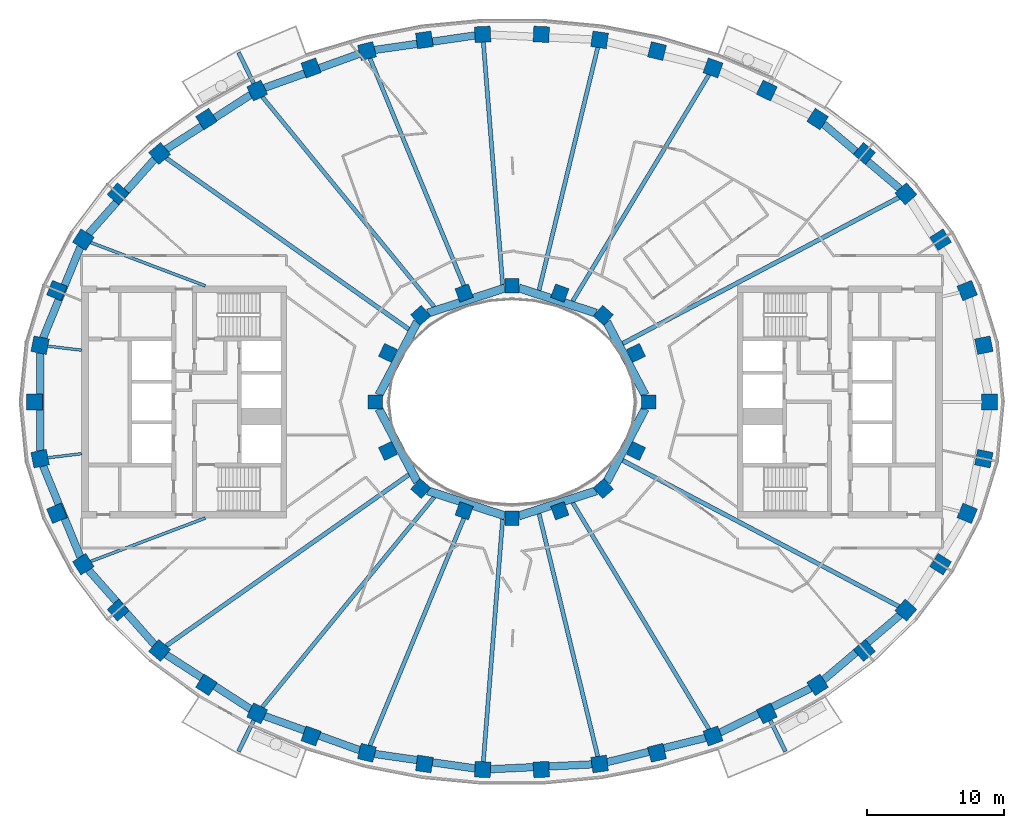
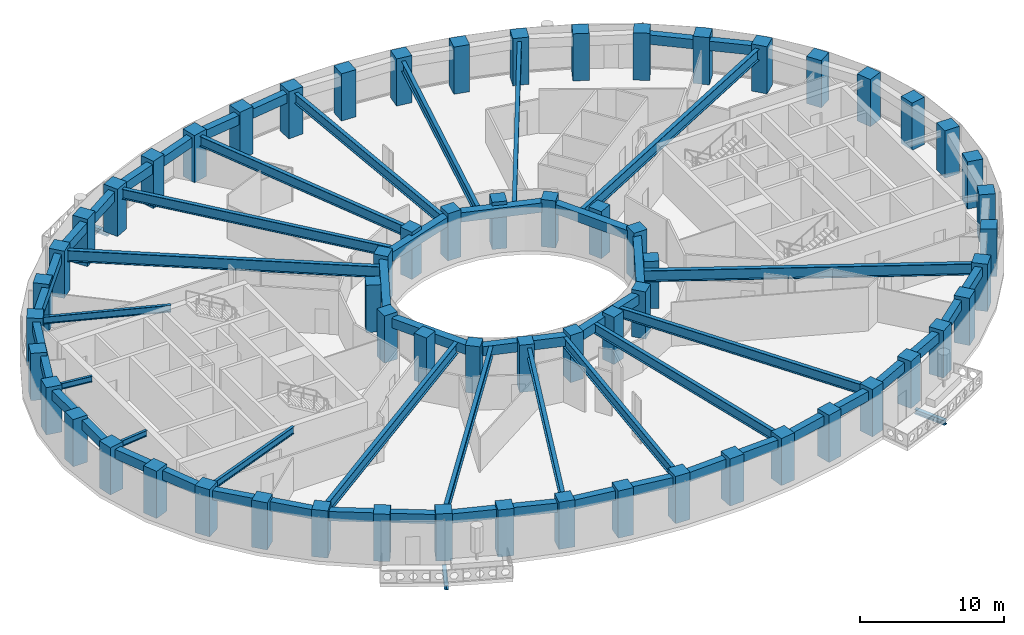
# One storey, part 1 of 15: 62 columns, 45 beams.
"""IFC4 building model written with IfcOpenShell, lengths in metres."""

from ifc_helpers import new_model, si_unit, direction, frame, origin, origin_2d, place, context, subcontext, project, spatial, rectangle, i_section, extrude, material, material_profile, profile_set, type_object, element, save


model = new_model("IFC4")

# Units and contexts
model_context = context("Model", 3, precision=1e-05, world=origin(), true_north=direction((0.0, 1.0)))
body_context = subcontext(model_context, "Body", "Model", "MODEL_VIEW")
ifc_project = project(units=[si_unit("LENGTHUNIT", "METRE"), si_unit("AREAUNIT", "SQUARE_METRE"), si_unit("VOLUMEUNIT", "CUBIC_METRE"), si_unit("PLANEANGLEUNIT", "RADIAN"), si_unit("MASSUNIT", "GRAM", prefix="KILO")], contexts=[model_context])

# Site, building, storey
site_placement = place(None, origin())
site = spatial("IfcSite", under=ifc_project, at=site_placement, CompositionType="ELEMENT")
building_placement = place(site_placement, origin())
building = spatial("IfcBuilding", under=site, at=building_placement, Name="Noorbagh Ring Tower", CompositionType="ELEMENT")
storey_placement = place(building_placement, frame((0.0, 0.0, 194.0)))
storey = spatial("IfcBuildingStorey", under=building, at=storey_placement, Name="L45", CompositionType="ELEMENT", Elevation=194.0)

# Columns
ifc_material_1 = material(Name="Concrete C60/75", Category="concrete")
ifc_material_profile_1 = material_profile(ifc_material_1, rectangle(XDim=1.14990234375, YDim=1.14990234375, at=origin_2d()), Name="RC1150x1150")
ifc_profile_set_1 = profile_set([ifc_material_profile_1], Name="Concrete C60/75")
column_type_1 = type_object("IfcColumnType", Name="STR-COL-RC1150x1150-C60-75", PredefinedType="COLUMN", material=ifc_profile_set_1)
for number, where, z_axis, x_axis, name in (
    (1, (34.944580078125, 0.0, 0.0), (0.0, 0.0, 1.0), (0.0, 1.0, 0.0), "L45/col/R1-01"),
    (2, (34.52685546875, 4.150634765625, 0.0), (0.0, 0.0, 1.0), (-0.19723040178, 0.9803571638, 0.0), "L45/col/R1-02"),
    (3, (33.30517578125, 8.1494140625, 0.0), (0.0, 0.0, 1.0), (-0.378989499959, 0.925400971969, 0.0), "L45/col/R1-03"),
    (4, (31.364990234375, 11.87109375, 0.0), (0.0, 0.0, 1.0), (-0.535190403059, 0.844731455833, 0.0), "L45/col/R1-04"),
    (5, (28.81884765625, 15.23046875, 0.0), (0.0, 0.0, 1.0), (-0.662635642662, 0.748941923699, 0.0), "L45/col/R1-05"),
    (6, (25.78271484375, 18.180419921875, 0.0), (0.0, 0.0, 1.0), (-0.763035199656, 0.646356932419, 0.0), "L45/col/R1-06"),
    (7, (22.362060546875, 20.699951171875, 0.0), (0.0, 0.0, 1.0), (-0.840247639643, 0.542202825586, 0.0), "L45/col/R1-07"),
    (8, (18.646240234375, 22.785400390625, 0.0), (0.0, 0.0, 1.0), (-0.898399080868, 0.439180021741, 0.0), "L45/col/R1-08"),
    (9, (14.70947265625, 24.44091796875, 0.0), (0.0, 0.0, 1.0), (-0.941024726094, 0.338337797003, 0.0), "L45/col/R1-09"),
    (10, (10.61328125, 25.673583984375, 0.0), (0.0, 0.0, 1.0), (-0.970829360981, 0.239771457553, 0.0), "L45/col/R1-10"),
    (11, (6.4091796875, 26.49072265625, 0.0), (0.0, 0.0, 1.0), (-0.989713114048, 0.143066249975, 0.0), "L45/col/R1-11"),
    (12, (2.14306640625, 26.89794921875, 0.0), (0.0, 0.0, 1.0), (-0.998868731212, 0.047552684538, 0.0), "L45/col/R1-12"),
    (13, (-2.14306640625, 26.89794921875, 0.0), (0.0, 0.0, 1.0), (-0.998868731212, -0.047552684538, 0.0), "L45/col/R1-13"),
    (14, (-6.4091796875, 26.49072265625, 0.0), (0.0, 0.0, 1.0), (-0.989713114048, -0.143066249975, 0.0), "L45/col/R1-14"),
    (15, (-10.61328125, 25.673583984375, 0.0), (0.0, 0.0, 1.0), (-0.970829360981, -0.239771457553, 0.0), "L45/col/R1-15"),
    (16, (-14.70947265625, 24.44091796875, 0.0), (0.0, 0.0, 1.0), (-0.941024726094, -0.338337797003, 0.0), "L45/col/R1-16"),
    (17, (-18.646240234375, 22.785400390625, 0.0), (0.0, 0.0, 1.0), (-0.898399080868, -0.439180021741, 0.0), "L45/col/R1-17"),
    (18, (-22.362060546875, 20.699951171875, 0.0), (0.0, 0.0, 1.0), (-0.840247639643, -0.542202825586, 0.0), "L45/col/R1-18"),
    (19, (-25.78271484375, 18.180419921875, 0.0), (0.0, 0.0, 1.0), (-0.763035199656, -0.646356932419, 0.0), "L45/col/R1-19"),
    (20, (-28.81884765625, 15.23046875, 0.0), (0.0, 0.0, 1.0), (-0.662635642662, -0.748941923699, 0.0), "L45/col/R1-20"),
    (21, (-31.364990234375, 11.87109375, 0.0), (0.0, 0.0, 1.0), (-0.535190403059, -0.844731455833, 0.0), "L45/col/R1-21"),
    (22, (-33.30517578125, 8.1494140625, 0.0), (0.0, 0.0, 1.0), (-0.378989499959, -0.925400971969, 0.0), "L45/col/R1-22"),
    (23, (-34.52685546875, 4.150634765625, 0.0), (0.0, 0.0, 1.0), (-0.19723040178, -0.9803571638, 0.0), "L45/col/R1-23"),
    (24, (-34.944580078125, 0.0, 0.0), (0.0, 0.0, 1.0), (0.0, -1.0, 0.0), "L45/col/R1-24"),
    (25, (-34.52685546875, -4.150634765625, 0.0), (0.0, 0.0, 1.0), (0.19723040178, -0.9803571638, 0.0), "L45/col/R1-25"),
    (26, (-33.30517578125, -8.1494140625, 0.0), (0.0, 0.0, 1.0), (0.378989499959, -0.925400971969, 0.0), "L45/col/R1-26"),
    (27, (-31.364990234375, -11.87109375, 0.0), (0.0, 0.0, 1.0), (0.535190403059, -0.844731455833, 0.0), "L45/col/R1-27"),
    (28, (-28.81884765625, -15.23046875, 0.0), (0.0, 0.0, 1.0), (0.662635642662, -0.748941923699, 0.0), "L45/col/R1-28"),
    (29, (-25.78271484375, -18.180419921875, 0.0), (0.0, 0.0, 1.0), (0.763035199656, -0.646356932419, 0.0), "L45/col/R1-29"),
    (30, (-22.362060546875, -20.699951171875, 0.0), (0.0, 0.0, 1.0), (0.840247639643, -0.542202825586, 0.0), "L45/col/R1-30"),
    (31, (-18.646240234375, -22.785400390625, 0.0), (0.0, 0.0, 1.0), (0.898399080868, -0.439180021741, 0.0), "L45/col/R1-31"),
    (32, (-14.70947265625, -24.44091796875, 0.0), (0.0, 0.0, 1.0), (0.941024726094, -0.338337797003, 0.0), "L45/col/R1-32"),
    (33, (-10.61328125, -25.673583984375, 0.0), (0.0, 0.0, 1.0), (0.970829360981, -0.239771457553, 0.0), "L45/col/R1-33"),
    (34, (-6.4091796875, -26.49072265625, 0.0), (0.0, 0.0, 1.0), (0.989713114048, -0.143066249975, 0.0), "L45/col/R1-34"),
    (35, (-2.14306640625, -26.89794921875, 0.0), (0.0, 0.0, 1.0), (0.998868731212, -0.047552684538, 0.0), "L45/col/R1-35"),
    (36, (2.14306640625, -26.89794921875, 0.0), (0.0, 0.0, 1.0), (0.998868731212, 0.047552684538, 0.0), "L45/col/R1-36"),
    (37, (6.4091796875, -26.49072265625, 0.0), (0.0, 0.0, 1.0), (0.989713114048, 0.143066249975, 0.0), "L45/col/R1-37"),
    (38, (10.61328125, -25.673583984375, 0.0), (0.0, 0.0, 1.0), (0.970829360981, 0.239771457553, 0.0), "L45/col/R1-38"),
    (39, (14.70947265625, -24.44091796875, 0.0), (0.0, 0.0, 1.0), (0.941024726094, 0.338337797003, 0.0), "L45/col/R1-39"),
    (40, (18.646240234375, -22.785400390625, 0.0), (0.0, 0.0, 1.0), (0.898399080868, 0.439180021741, 0.0), "L45/col/R1-40"),
    (41, (22.362060546875, -20.699951171875, 0.0), (0.0, 0.0, 1.0), (0.840247639643, 0.542202825586, 0.0), "L45/col/R1-41"),
    (42, (25.78271484375, -18.180419921875, 0.0), (0.0, 0.0, 1.0), (0.763035199656, 0.646356932419, 0.0), "L45/col/R1-42"),
    (43, (28.81884765625, -15.23046875, 0.0), (0.0, 0.0, 1.0), (0.662635642662, 0.748941923699, 0.0), "L45/col/R1-43"),
    (44, (31.364990234375, -11.87109375, 0.0), (0.0, 0.0, 1.0), (0.535190403059, 0.844731455833, 0.0), "L45/col/R1-44"),
    (45, (33.30517578125, -8.1494140625, 0.0), (0.0, 0.0, 1.0), (0.378989499959, 0.925400971969, 0.0), "L45/col/R1-45"),
    (46, (34.52685546875, -4.150634765625, 0.0), (0.0, 0.0, 1.0), (0.19723040178, 0.9803571638, 0.0), "L45/col/R1-46"),
):
    element("IfcColumn", number, at=place(storey_placement, frame(where, z_axis=z_axis, x_axis=x_axis)), inside=storey, type_object=column_type_1, Name=name, PredefinedType="COLUMN", context=body_context, shape_type="SweptSolid", body=[
        extrude(rectangle(XDim=1.14990234375, YDim=1.14990234375, at=origin_2d()), origin(), (0.0, 0.0, 1.0), 4.0),
    ])
ifc_material_2 = material(Name="Concrete C60/75", Category="concrete")
ifc_material_profile_2 = material_profile(ifc_material_2, rectangle(XDim=1.050048828125, YDim=1.050048828125, at=origin_2d()), Name="RC1050x1050")
ifc_profile_set_2 = profile_set([ifc_material_profile_2], Name="Concrete C60/75")
column_type_2 = type_object("IfcColumnType", Name="STR-ICOL-RC1050x1050-C60-75", PredefinedType="COLUMN", material=ifc_profile_set_2)
for number, where, z_axis, x_axis, name in (
    (47, (10.00830078125, 0.0, 0.0), (0.0, 0.0, 1.0), (0.0, 1.0, 0.0), "L45/col/IR2-W01"),
    (48, (9.07568359375, 3.58837890625, 0.0), (0.0, 0.0, 1.0), (-0.428666979171, 0.903462573087, 0.0), "L45/col/IR2-W03"),
    (49, (6.68212890625, 6.333740234375, 0.0), (0.0, 0.0, 1.0), (-0.75102249095, 0.660276622399, 0.0), "L45/col/IR2-W05"),
    (50, (3.5009765625, 7.967041015625, 0.0), (0.0, 0.0, 1.0), (-0.939019578916, 0.343863679984, 0.0), "L45/col/IR2-W07"),
    (51, (0.0, 8.5029296875, 0.0), (0.0, 0.0, 1.0), (-1.0, 0.0, 0.0), "L45/col/IR2-W09"),
    (52, (-3.5009765625, 7.967041015625, 0.0), (0.0, 0.0, 1.0), (-0.939019578916, -0.343863679984, 0.0), "L45/col/IR2-W11"),
    (53, (-6.68212890625, 6.333740234375, 0.0), (0.0, 0.0, 1.0), (-0.75102249095, -0.660276622399, 0.0), "L45/col/IR2-W13"),
    (54, (-9.07568359375, 3.58837890625, 0.0), (0.0, 0.0, 1.0), (-0.428666979171, -0.903462573087, 0.0), "L45/col/IR2-W15"),
    (55, (-10.00830078125, 0.0, 0.0), (0.0, 0.0, 1.0), (0.0, -1.0, 0.0), "L45/col/IR2-W17"),
    (56, (-9.07568359375, -3.58837890625, 0.0), (0.0, 0.0, 1.0), (0.428666979171, -0.903462573087, 0.0), "L45/col/IR2-W19"),
    (57, (-6.68212890625, -6.333740234375, 0.0), (0.0, 0.0, 1.0), (0.75102249095, -0.660276622399, 0.0), "L45/col/IR2-W21"),
    (58, (-3.5009765625, -7.967041015625, 0.0), (0.0, 0.0, 1.0), (0.939019578916, -0.343863679984, 0.0), "L45/col/IR2-W23"),
    (59, (0.0, -8.5029296875, 0.0), (0.0, 0.0, 1.0), (1.0, 0.0, 0.0), "L45/col/IR2-W25"),
    (60, (3.5009765625, -7.967041015625, 0.0), (0.0, 0.0, 1.0), (0.939019578916, 0.343863679984, 0.0), "L45/col/IR2-W27"),
    (61, (6.68212890625, -6.333740234375, 0.0), (0.0, 0.0, 1.0), (0.75102249095, 0.660276622399, 0.0), "L45/col/IR2-W29"),
    (62, (9.07568359375, -3.58837890625, 0.0), (0.0, 0.0, 1.0), (0.428666979171, 0.903462573087, 0.0), "L45/col/IR2-W31"),
):
    element("IfcColumn", number, at=place(storey_placement, frame(where, z_axis=z_axis, x_axis=x_axis)), inside=storey, type_object=column_type_2, Name=name, PredefinedType="COLUMN", context=body_context, shape_type="SweptSolid", body=[
        extrude(rectangle(XDim=1.050048828125, YDim=1.050048828125, at=origin_2d()), origin(), (0.0, 0.0, 1.0), 4.0),
    ])

# Beams
ifc_material_3 = material(Name="Steel S355", Category="steel")
ifc_material_profile_3 = material_profile(ifc_material_3, i_section(OverallWidth=0.300048828125, OverallDepth=0.39990234375, WebThickness=0.013427734375, FlangeThickness=0.02392578125, FilletRadius=0.027099609375, at=origin_2d()), Name="HEB400")
ifc_profile_set_3 = profile_set([ifc_material_profile_3], Name="Steel S355")
beam_type_1 = type_object("IfcBeamType", Name="STR-BALCONY-BRACKET-HEB400", PredefinedType="BEAM", material=ifc_profile_set_3)
for number, where, z_axis, x_axis, name in (
    (63, (-18.89013671875, 23.283935546875, -0.5), (-0.439230736405, 0.898374287364, 0.0), (-0.898374287364, -0.439230736405, 0.0), "Balcony bracket beam BN05"),
    (64, (-18.89013671875, -23.283935546875, -0.5), (-0.439230736405, -0.898374287364, 0.0), (0.898374287364, -0.439230736405, 0.0), "Balcony bracket beam BS02"),
    (65, (18.89013671875, -23.283935546875, -0.5), (0.439230736405, -0.898374287364, 0.0), (0.898374287364, 0.439230736405, 0.0), "Balcony bracket beam BS05"),
):
    element("IfcBeam", number, at=place(storey_placement, frame(where, z_axis=z_axis, x_axis=x_axis)), inside=storey, type_object=beam_type_1, Name=name, PredefinedType="BEAM", context=body_context, shape_type="SweptSolid", body=[
        extrude(i_section(OverallWidth=0.300048828125, OverallDepth=0.39990234375, WebThickness=0.013427734375, FlangeThickness=0.02392578125, FilletRadius=0.027099609375, at=origin_2d()), origin(), (0.0, 0.0, 1.0), 2.55029296875),
    ])
ifc_material_4 = material(Name="Steel S355", Category="steel")
ifc_material_profile_4 = material_profile(ifc_material_4, i_section(OverallWidth=0.199951171875, OverallDepth=0.5, WebThickness=0.01025390625, FlangeThickness=0.01611328125, FilletRadius=0.02099609375, at=origin_2d()), Name="IPE500")
ifc_profile_set_4 = profile_set([ifc_material_profile_4], Name="Steel S355")
beam_type_2 = type_object("IfcBeamType", Name="STR-RAD-IPE500", PredefinedType="BEAM", material=ifc_profile_set_4)
for number, where, z_axis, x_axis, name in (
    (66, (-33.973876953125, 4.084228515625, 3.449951171875), (0.992850135932, -0.119367531518, 0.0), (0.119367531518, 0.992850135932, 0.0), "L45/bm/RD23"),
    (67, (-33.973876953125, -4.084228515625, 3.449951171875), (0.992850135932, 0.119367531518, 0.0), (-0.119367531518, 0.992850135932, 0.0), "L45/bm/RD25"),
):
    element("IfcBeam", number, at=place(storey_placement, frame(where, z_axis=z_axis, x_axis=x_axis)), inside=storey, type_object=beam_type_2, Name=name, PredefinedType="BEAM", context=body_context, shape_type="SweptSolid", body=[
        extrude(i_section(OverallWidth=0.199951171875, OverallDepth=0.5, WebThickness=0.01025390625, FlangeThickness=0.01611328125, FilletRadius=0.02099609375, at=origin_2d()), origin(), (0.0, 0.0, 1.0), 2.51171875),
    ])
ifc_material_5 = material(Name="Steel S355", Category="steel")
ifc_material_profile_5 = material_profile(ifc_material_5, i_section(OverallWidth=0.219970703125, OverallDepth=0.60009765625, WebThickness=0.011962890625, FlangeThickness=0.01904296875, FilletRadius=0.02392578125, at=origin_2d()), Name="IPE600")
ifc_profile_set_5 = profile_set([ifc_material_profile_5], Name="Steel S355")
beam_type_3 = type_object("IfcBeamType", Name="STR-RAD-IPE600", PredefinedType="BEAM", material=ifc_profile_set_5)
for number, where, z_axis, x_axis, name in (
    (68, (-30.834716796875, 11.670166015625, 3.39990234375), (0.935258517004, -0.353965402789, 0.0), (0.353965402789, 0.935258517004, 0.0), "L45/bm/RD21"),
    (69, (-30.834716796875, -11.670166015625, 3.39990234375), (0.935258517004, 0.353965402789, 0.0), (-0.353965402789, 0.935258517004, 0.0), "L45/bm/RD27"),
):
    element("IfcBeam", number, at=place(storey_placement, frame(where, z_axis=z_axis, x_axis=x_axis)), inside=storey, type_object=beam_type_3, Name=name, PredefinedType="BEAM", context=body_context, shape_type="SweptSolid", body=[
        extrude(i_section(OverallWidth=0.219970703125, OverallDepth=0.60009765625, WebThickness=0.011962890625, FlangeThickness=0.01904296875, FilletRadius=0.02392578125, at=origin_2d()), origin(), (0.0, 0.0, 1.0), 8.97607421875),
    ])
ifc_material_6 = material(Name="Steel S355", Category="steel")
ifc_material_profile_6 = material_profile(ifc_material_6, i_section(OverallWidth=0.300048828125, OverallDepth=0.85009765625, WebThickness=0.013916015625, FlangeThickness=0.028076171875, at=origin_2d()), Name="PG850x300x14x28")
ifc_profile_set_6 = profile_set([ifc_material_profile_6], Name="Steel S355")
beam_type_4 = type_object("IfcBeamType", Name="STR-RAD-PG850x300x14x28", PredefinedType="BEAM", material=ifc_profile_set_6)
beam_1_placement = place(storey_placement, frame((14.41748046875, 23.95556640625, 3.27490234375), z_axis=(-0.515657480155, -0.856794819756, 0.0), x_axis=(0.856794819756, -0.515657480155, 0.0)))
element("IfcBeam", 70, at=beam_1_placement, inside=storey, type_object=beam_type_4, Name="L45/bm/RD09", PredefinedType="BEAM", context=body_context, shape_type="SweptSolid", body=[
    extrude(i_section(OverallWidth=0.300048828125, OverallDepth=0.85009765625, WebThickness=0.013916015625, FlangeThickness=0.028076171875, at=origin_2d()), origin(), (0.0, 0.0, 1.0), 19.36962890625),
])
beam_2_placement = place(storey_placement, frame((6.278076171875, 25.948974609375, 3.27490234375), z_axis=(-0.235157209599, -0.971957348228, 0.0), x_axis=(0.971957348228, -0.235157209599, 0.0)))
element("IfcBeam", 71, at=beam_2_placement, inside=storey, type_object=beam_type_4, Name="L45/bm/RD11", PredefinedType="BEAM", context=body_context, shape_type="SweptSolid", body=[
    extrude(i_section(OverallWidth=0.300048828125, OverallDepth=0.85009765625, WebThickness=0.013916015625, FlangeThickness=0.028076171875, at=origin_2d()), origin(), (0.0, 0.0, 1.0), 18.3056640625),
])
beam_3_placement = place(storey_placement, frame((-2.09912109375, 26.344482421875, 3.27490234375), z_axis=(0.079426755243, -0.996840704702, 0.0), x_axis=(0.996840704702, 0.079426755243, 0.0)))
element("IfcBeam", 72, at=beam_3_placement, inside=storey, type_object=beam_type_4, Name="L45/bm/RD13", PredefinedType="BEAM", context=body_context, shape_type="SweptSolid", body=[
    extrude(i_section(OverallWidth=0.300048828125, OverallDepth=0.85009765625, WebThickness=0.013916015625, FlangeThickness=0.028076171875, at=origin_2d()), origin(), (0.0, 0.0, 1.0), 17.824951171875),
])
beam_4_placement = place(storey_placement, frame((-10.398681640625, 25.15478515625, 3.27490234375), z_axis=(0.382029145197, -0.924150275778, 0.0), x_axis=(0.924150275778, 0.382029145197, 0.0)))
element("IfcBeam", 73, at=beam_4_placement, inside=storey, type_object=beam_type_4, Name="L45/bm/RD15", PredefinedType="BEAM", context=body_context, shape_type="SweptSolid", body=[
    extrude(i_section(OverallWidth=0.300048828125, OverallDepth=0.85009765625, WebThickness=0.013916015625, FlangeThickness=0.028076171875, at=origin_2d()), origin(), (0.0, 0.0, 1.0), 18.826171875),
])
for number, where, z_axis, x_axis, name in (
    (74, (-18.284912109375, 22.34375, 3.27490234375), (0.633309312675, -0.773898775344, 0.0), (0.773898775344, 0.633309312675, 0.0), "L45/bm/RD17"),
    (75, (-18.284912109375, -22.34375, 3.27490234375), (0.633309312675, 0.773898775344, 0.0), (-0.773898775344, 0.633309312675, 0.0), "L45/bm/RD31"),
):
    element("IfcBeam", number, at=place(storey_placement, frame(where, z_axis=z_axis, x_axis=x_axis)), inside=storey, type_object=beam_type_4, Name=name, PredefinedType="BEAM", context=body_context, shape_type="SweptSolid", body=[
        extrude(i_section(OverallWidth=0.300048828125, OverallDepth=0.85009765625, WebThickness=0.013916015625, FlangeThickness=0.028076171875, at=origin_2d()), origin(), (0.0, 0.0, 1.0), 19.888671875),
    ])
beam_5_placement = place(storey_placement, frame((-10.398681640625, -25.15478515625, 3.27490234375), z_axis=(0.382029145197, 0.924150275778, 0.0), x_axis=(-0.924150275778, 0.382029145197, 0.0)))
element("IfcBeam", 76, at=beam_5_placement, inside=storey, type_object=beam_type_4, Name="L45/bm/RD33", PredefinedType="BEAM", context=body_context, shape_type="SweptSolid", body=[
    extrude(i_section(OverallWidth=0.300048828125, OverallDepth=0.85009765625, WebThickness=0.013916015625, FlangeThickness=0.028076171875, at=origin_2d()), origin(), (0.0, 0.0, 1.0), 18.826171875),
])
beam_6_placement = place(storey_placement, frame((-2.09912109375, -26.344482421875, 3.27490234375), z_axis=(0.079426755243, 0.996840704702, 0.0), x_axis=(-0.996840704702, 0.079426755243, 0.0)))
element("IfcBeam", 77, at=beam_6_placement, inside=storey, type_object=beam_type_4, Name="L45/bm/RD35", PredefinedType="BEAM", context=body_context, shape_type="SweptSolid", body=[
    extrude(i_section(OverallWidth=0.300048828125, OverallDepth=0.85009765625, WebThickness=0.013916015625, FlangeThickness=0.028076171875, at=origin_2d()), origin(), (0.0, 0.0, 1.0), 17.824951171875),
])
beam_7_placement = place(storey_placement, frame((6.278076171875, -25.948974609375, 3.27490234375), z_axis=(-0.235157209599, 0.971957348228, 0.0), x_axis=(-0.971957348228, -0.235157209599, 0.0)))
element("IfcBeam", 78, at=beam_7_placement, inside=storey, type_object=beam_type_4, Name="L45/bm/RD37", PredefinedType="BEAM", context=body_context, shape_type="SweptSolid", body=[
    extrude(i_section(OverallWidth=0.300048828125, OverallDepth=0.85009765625, WebThickness=0.013916015625, FlangeThickness=0.028076171875, at=origin_2d()), origin(), (0.0, 0.0, 1.0), 18.3056640625),
])
beam_8_placement = place(storey_placement, frame((14.41748046875, -23.95556640625, 3.27490234375), z_axis=(-0.515657480155, 0.856794819756, 0.0), x_axis=(-0.856794819756, -0.515657480155, 0.0)))
element("IfcBeam", 79, at=beam_8_placement, inside=storey, type_object=beam_type_4, Name="L45/bm/RD39", PredefinedType="BEAM", context=body_context, shape_type="SweptSolid", body=[
    extrude(i_section(OverallWidth=0.300048828125, OverallDepth=0.85009765625, WebThickness=0.013916015625, FlangeThickness=0.028076171875, at=origin_2d()), origin(), (0.0, 0.0, 1.0), 19.36962890625),
])
ifc_material_7 = material(Name="Steel S355", Category="steel")
ifc_material_profile_7 = material_profile(ifc_material_7, i_section(OverallWidth=0.320068359375, OverallDepth=0.949951171875, WebThickness=0.01611328125, FlangeThickness=0.030029296875, at=origin_2d()), Name="PG950x320x16x30")
ifc_profile_set_7 = profile_set([ifc_material_profile_7], Name="Steel S355")
beam_type_5 = type_object("IfcBeamType", Name="STR-RAD-PG950x320x16x30", PredefinedType="BEAM", material=ifc_profile_set_7)
beam_9_placement = place(storey_placement, frame((28.3134765625, 14.96337890625, 3.22509765625), z_axis=(-0.88412220417, -0.467255741638, 0.0), x_axis=(0.467255741638, -0.88412220417, 0.0)))
element("IfcBeam", 80, at=beam_9_placement, inside=storey, type_object=beam_type_5, Name="L45/bm/RD05", PredefinedType="BEAM", context=body_context, shape_type="SweptSolid", body=[
    extrude(i_section(OverallWidth=0.320068359375, OverallDepth=0.949951171875, WebThickness=0.01611328125, FlangeThickness=0.030029296875, at=origin_2d()), origin(), (0.0, 0.0, 1.0), 22.88330078125),
])
for number, where, z_axis, x_axis, name in (
    (81, (-25.313720703125, 17.849609375, 3.22509765625), (0.81725576223, -0.576275124487, 0.0), (0.576275124487, 0.81725576223, 0.0), "L45/bm/RD19"),
    (82, (-25.313720703125, -17.849609375, 3.22509765625), (0.81725576223, 0.576275124487, 0.0), (-0.576275124487, 0.81725576223, 0.0), "L45/bm/RD29"),
):
    element("IfcBeam", number, at=place(storey_placement, frame(where, z_axis=z_axis, x_axis=x_axis)), inside=storey, type_object=beam_type_5, Name=name, PredefinedType="BEAM", context=body_context, shape_type="SweptSolid", body=[
        extrude(i_section(OverallWidth=0.320068359375, OverallDepth=0.949951171875, WebThickness=0.01611328125, FlangeThickness=0.030029296875, at=origin_2d()), origin(), (0.0, 0.0, 1.0), 21.754638671875),
    ])
beam_10_placement = place(storey_placement, frame((28.3134765625, -14.96337890625, 3.22509765625), z_axis=(-0.88412220417, 0.467255741638, 0.0), x_axis=(-0.467255741638, -0.88412220417, 0.0)))
element("IfcBeam", 83, at=beam_10_placement, inside=storey, type_object=beam_type_5, Name="L45/bm/RD43", PredefinedType="BEAM", context=body_context, shape_type="SweptSolid", body=[
    extrude(i_section(OverallWidth=0.320068359375, OverallDepth=0.949951171875, WebThickness=0.01611328125, FlangeThickness=0.030029296875, at=origin_2d()), origin(), (0.0, 0.0, 1.0), 22.88330078125),
])
ifc_material_8 = material(Name="Concrete C40/50", Category="concrete")
ifc_material_profile_8 = material_profile(ifc_material_8, rectangle(XDim=0.60009765625, YDim=0.800048828125, at=origin_2d()), Name="RC600x800")
ifc_profile_set_8 = profile_set([ifc_material_profile_8], Name="Concrete C40/50")
beam_type_6 = type_object("IfcBeamType", Name="STR-RB-RC600x800-C40-50", PredefinedType="BEAM", material=ifc_profile_set_8)
beam_11_placement = place(storey_placement, frame((9.741943359375, 0.50732421875, 3.300048828125), z_axis=(-0.464929768283, 0.885347564838, 0.0), x_axis=(-0.885347564838, -0.464929768283, 0.0)))
element("IfcBeam", 84, at=beam_11_placement, inside=storey, type_object=beam_type_6, Name="L45/bm/RG01", PredefinedType="BEAM", context=body_context, shape_type="SweptSolid", body=[
    extrude(rectangle(XDim=0.60009765625, YDim=0.800048828125, at=origin_2d()), origin(), (0.0, 0.0, 1.0), 6.038818359375),
])
for number, where, z_axis, x_axis, name in (
    (85, (6.157470703125, 6.504150390625, 3.300048828125), (-0.951147838406, 0.308735792379, 0.0), (-0.308735792379, -0.951147838406, 0.0), "L45/bm/RG03"),
    (86, (-0.505859375, 8.338623046875, 3.300048828125), (-0.951147838406, -0.308735792379, 0.0), (0.308735792379, -0.951147838406, 0.0), "L45/bm/RG05"),
):
    element("IfcBeam", number, at=place(storey_placement, frame(where, z_axis=z_axis, x_axis=x_axis)), inside=storey, type_object=beam_type_6, Name=name, PredefinedType="BEAM", context=body_context, shape_type="SweptSolid", body=[
        extrude(rectangle(XDim=0.60009765625, YDim=0.800048828125, at=origin_2d()), origin(), (0.0, 0.0, 1.0), 5.94189453125),
    ])
for number, where, z_axis, x_axis, name in (
    (87, (-6.934326171875, 5.853759765625, 3.300048828125), (-0.464929768283, -0.885347564838, 0.0), (0.885347564838, -0.464929768283, 0.0), "L45/bm/RG07"),
    (88, (-9.741943359375, -0.50732421875, 3.300048828125), (0.464929768283, -0.885347564838, 0.0), (0.885347564838, 0.464929768283, 0.0), "L45/bm/RG09"),
):
    element("IfcBeam", number, at=place(storey_placement, frame(where, z_axis=z_axis, x_axis=x_axis)), inside=storey, type_object=beam_type_6, Name=name, PredefinedType="BEAM", context=body_context, shape_type="SweptSolid", body=[
        extrude(rectangle(XDim=0.60009765625, YDim=0.800048828125, at=origin_2d()), origin(), (0.0, 0.0, 1.0), 6.038818359375),
    ])
for number, where, z_axis, x_axis, name in (
    (89, (-6.157470703125, -6.504150390625, 3.300048828125), (0.951147838406, -0.308735792379, 0.0), (0.308735792379, 0.951147838406, 0.0), "L45/bm/RG11"),
    (90, (0.505859375, -8.338623046875, 3.300048828125), (0.951147838406, 0.308735792379, 0.0), (-0.308735792379, 0.951147838406, 0.0), "L45/bm/RG13"),
):
    element("IfcBeam", number, at=place(storey_placement, frame(where, z_axis=z_axis, x_axis=x_axis)), inside=storey, type_object=beam_type_6, Name=name, PredefinedType="BEAM", context=body_context, shape_type="SweptSolid", body=[
        extrude(rectangle(XDim=0.60009765625, YDim=0.800048828125, at=origin_2d()), origin(), (0.0, 0.0, 1.0), 5.94189453125),
    ])
beam_12_placement = place(storey_placement, frame((6.934326171875, -5.853759765625, 3.300048828125), z_axis=(0.464929768283, 0.885347564838, 0.0), x_axis=(-0.885347564838, 0.464929768283, 0.0)))
element("IfcBeam", 91, at=beam_12_placement, inside=storey, type_object=beam_type_6, Name="L45/bm/RG15", PredefinedType="BEAM", context=body_context, shape_type="SweptSolid", body=[
    extrude(rectangle(XDim=0.60009765625, YDim=0.800048828125, at=origin_2d()), origin(), (0.0, 0.0, 1.0), 6.038818359375),
])
ifc_material_9 = material(Name="Concrete C40/50", Category="concrete")
ifc_material_profile_9 = material_profile(ifc_material_9, rectangle(XDim=0.550048828125, YDim=0.800048828125, at=origin_2d()), Name="RC550x800")
ifc_profile_set_9 = profile_set([ifc_material_profile_9], Name="Concrete C40/50")
beam_type_7 = type_object("IfcBeamType", Name="STR-SB-RC550x800-C40-50", PredefinedType="BEAM", material=ifc_profile_set_9)
beam_13_placement = place(storey_placement, frame((28.390869140625, 15.593017578125, 3.300048828125), z_axis=(-0.76302791951, 0.646365526656, 0.0), x_axis=(-0.646365526656, -0.76302791951, 0.0)))
element("IfcBeam", 92, at=beam_13_placement, inside=storey, type_object=beam_type_7, Name="L45/bm/SP05", PredefinedType="BEAM", context=body_context, shape_type="SweptSolid", body=[
    extrude(rectangle(XDim=0.550048828125, YDim=0.800048828125, at=origin_2d()), origin(), (0.0, 0.0, 1.0), 7.34130859375),
])
beam_14_placement = place(storey_placement, frame((-2.695068359375, 26.818115234375, 3.300048828125), z_axis=(-0.989714582635, -0.143056090115, 0.0), x_axis=(0.143056090115, -0.989714582635, 0.0)))
element("IfcBeam", 93, at=beam_14_placement, inside=storey, type_object=beam_type_7, Name="L45/bm/SP13", PredefinedType="BEAM", context=body_context, shape_type="SweptSolid", body=[
    extrude(rectangle(XDim=0.550048828125, YDim=0.800048828125, at=origin_2d()), origin(), (0.0, 0.0, 1.0), 7.442626953125),
])
beam_15_placement = place(storey_placement, frame((-11.138427734375, 25.48486328125, 3.300048828125), z_axis=(-0.941023654447, -0.338340777576, 0.0), x_axis=(0.338340777576, -0.941023654447, 0.0)))
element("IfcBeam", 94, at=beam_15_placement, inside=storey, type_object=beam_type_7, Name="L45/bm/SP15", PredefinedType="BEAM", context=body_context, shape_type="SweptSolid", body=[
    extrude(rectangle(XDim=0.550048828125, YDim=0.800048828125, at=origin_2d()), origin(), (0.0, 0.0, 1.0), 7.419921875),
])
beam_16_placement = place(storey_placement, frame((-19.115966796875, 22.482177734375, 3.300048828125), z_axis=(-0.840254319368, -0.542192473928, 0.0), x_axis=(0.542192473928, -0.840254319368, 0.0)))
element("IfcBeam", 95, at=beam_16_placement, inside=storey, type_object=beam_type_7, Name="L45/bm/SP17", PredefinedType="BEAM", context=body_context, shape_type="SweptSolid", body=[
    extrude(rectangle(XDim=0.550048828125, YDim=0.800048828125, at=origin_2d()), origin(), (0.0, 0.0, 1.0), 7.374267578125),
])
beam_17_placement = place(storey_placement, frame((-26.154541015625, 17.76025390625, 3.300048828125), z_axis=(-0.662635208679, -0.74894230767, 0.0), x_axis=(0.74894230767, -0.662635208679, 0.0)))
element("IfcBeam", 96, at=beam_17_placement, inside=storey, type_object=beam_type_7, Name="L45/bm/SP19", PredefinedType="BEAM", context=body_context, shape_type="SweptSolid", body=[
    extrude(rectangle(XDim=0.550048828125, YDim=0.800048828125, at=origin_2d()), origin(), (0.0, 0.0, 1.0), 7.301025390625),
])
beam_18_placement = place(storey_placement, frame((-31.578857421875, 11.34912109375, 3.300048828125), z_axis=(-0.378982069308, -0.925404015089, 0.0), x_axis=(0.925404015089, -0.378982069308, 0.0)))
element("IfcBeam", 97, at=beam_18_placement, inside=storey, type_object=beam_type_7, Name="L45/bm/SP21", PredefinedType="BEAM", context=body_context, shape_type="SweptSolid", body=[
    extrude(rectangle(XDim=0.550048828125, YDim=0.800048828125, at=origin_2d()), origin(), (0.0, 0.0, 1.0), 7.213134765625),
])
beam_19_placement = place(storey_placement, frame((-34.52685546875, 3.584228515625, 3.300048828125), z_axis=(0.0, -1.0, 0.0), x_axis=(1.0, 0.0, 0.0)))
element("IfcBeam", 98, at=beam_19_placement, inside=storey, type_object=beam_type_7, Name="L45/bm/SP23", PredefinedType="BEAM", context=body_context, shape_type="SweptSolid", body=[
    extrude(rectangle(XDim=0.550048828125, YDim=0.800048828125, at=origin_2d()), origin(), (0.0, 0.0, 1.0), 7.16845703125),
])
beam_20_placement = place(storey_placement, frame((-34.3125, -4.674072265625, 3.300048828125), z_axis=(0.378982069308, -0.925404015089, 0.0), x_axis=(0.925404015089, 0.378982069308, 0.0)))
element("IfcBeam", 99, at=beam_20_placement, inside=storey, type_object=beam_type_7, Name="L45/bm/SP25", PredefinedType="BEAM", context=body_context, shape_type="SweptSolid", body=[
    extrude(rectangle(XDim=0.550048828125, YDim=0.800048828125, at=origin_2d()), origin(), (0.0, 0.0, 1.0), 7.213134765625),
])
beam_21_placement = place(storey_placement, frame((-30.992431640625, -12.292236328125, 3.300048828125), z_axis=(0.662635208679, -0.74894230767, 0.0), x_axis=(0.74894230767, 0.662635208679, 0.0)))
element("IfcBeam", 100, at=beam_21_placement, inside=storey, type_object=beam_type_7, Name="L45/bm/SP27", PredefinedType="BEAM", context=body_context, shape_type="SweptSolid", body=[
    extrude(rectangle(XDim=0.550048828125, YDim=0.800048828125, at=origin_2d()), origin(), (0.0, 0.0, 1.0), 7.301025390625),
])
beam_22_placement = place(storey_placement, frame((-25.312255859375, -18.48388671875, 3.300048828125), z_axis=(0.840254319368, -0.542192473928, 0.0), x_axis=(0.542192473928, 0.840254319368, 0.0)))
element("IfcBeam", 101, at=beam_22_placement, inside=storey, type_object=beam_type_7, Name="L45/bm/SP29", PredefinedType="BEAM", context=body_context, shape_type="SweptSolid", body=[
    extrude(rectangle(XDim=0.550048828125, YDim=0.800048828125, at=origin_2d()), origin(), (0.0, 0.0, 1.0), 7.374267578125),
])
beam_23_placement = place(storey_placement, frame((-18.120849609375, -22.974365234375, 3.300048828125), z_axis=(0.941023654447, -0.338340777576, 0.0), x_axis=(0.338340777576, 0.941023654447, 0.0)))
element("IfcBeam", 102, at=beam_23_placement, inside=storey, type_object=beam_type_7, Name="L45/bm/SP31", PredefinedType="BEAM", context=body_context, shape_type="SweptSolid", body=[
    extrude(rectangle(XDim=0.550048828125, YDim=0.800048828125, at=origin_2d()), origin(), (0.0, 0.0, 1.0), 7.419921875),
])
beam_24_placement = place(storey_placement, frame((-10.06103515625, -25.75341796875, 3.300048828125), z_axis=(0.989714582635, -0.143056090115, 0.0), x_axis=(0.143056090115, 0.989714582635, 0.0)))
element("IfcBeam", 103, at=beam_24_placement, inside=storey, type_object=beam_type_7, Name="L45/bm/SP33", PredefinedType="BEAM", context=body_context, shape_type="SweptSolid", body=[
    extrude(rectangle(XDim=0.550048828125, YDim=0.800048828125, at=origin_2d()), origin(), (0.0, 0.0, 1.0), 7.442626953125),
])
beam_25_placement = place(storey_placement, frame((-1.586181640625, -26.87158203125, 3.300048828125), z_axis=(0.998867915197, 0.047569822271, 0.0), x_axis=(-0.047569822271, 0.998867915197, 0.0)))
element("IfcBeam", 104, at=beam_25_placement, inside=storey, type_object=beam_type_7, Name="L45/bm/SP35", PredefinedType="BEAM", context=body_context, shape_type="SweptSolid", body=[
    extrude(rectangle(XDim=0.550048828125, YDim=0.800048828125, at=origin_2d()), origin(), (0.0, 0.0, 1.0), 7.447021484375),
])
beam_26_placement = place(storey_placement, frame((6.95068359375, -26.357177734375, 3.300048828125), z_axis=(0.970828249823, 0.239775956563, 0.0), x_axis=(-0.239775956563, 0.970828249823, 0.0)))
element("IfcBeam", 105, at=beam_26_placement, inside=storey, type_object=beam_type_7, Name="L45/bm/SP37", PredefinedType="BEAM", context=body_context, shape_type="SweptSolid", body=[
    extrude(rectangle(XDim=0.550048828125, YDim=0.800048828125, at=origin_2d()), origin(), (0.0, 0.0, 1.0), 7.433837890625),
])
beam_27_placement = place(storey_placement, frame((15.211181640625, -24.195556640625, 3.300048828125), z_axis=(0.898409236546, 0.439159246389, 0.0), x_axis=(-0.439159246389, 0.898409236546, 0.0)))
element("IfcBeam", 106, at=beam_27_placement, inside=storey, type_object=beam_type_7, Name="L45/bm/SP39", PredefinedType="BEAM", context=body_context, shape_type="SweptSolid", body=[
    extrude(rectangle(XDim=0.550048828125, YDim=0.800048828125, at=origin_2d()), origin(), (0.0, 0.0, 1.0), 7.400390625),
])
beam_28_placement = place(storey_placement, frame((22.789306640625, -20.338134765625, 3.300048828125), z_axis=(0.76302791951, 0.646365526656, 0.0), x_axis=(-0.646365526656, 0.76302791951, 0.0)))
element("IfcBeam", 107, at=beam_28_placement, inside=storey, type_object=beam_type_7, Name="L45/bm/SP41", PredefinedType="BEAM", context=body_context, shape_type="SweptSolid", body=[
    extrude(rectangle(XDim=0.550048828125, YDim=0.800048828125, at=origin_2d()), origin(), (0.0, 0.0, 1.0), 7.34130859375),
])

save(model, "model.ifc")
